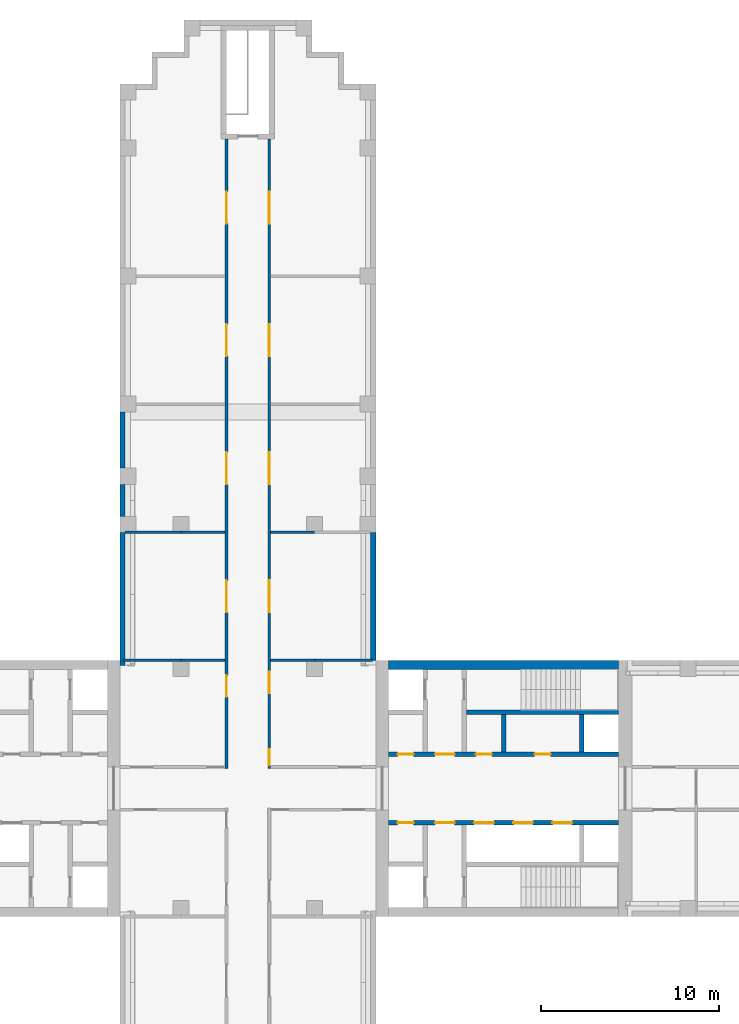
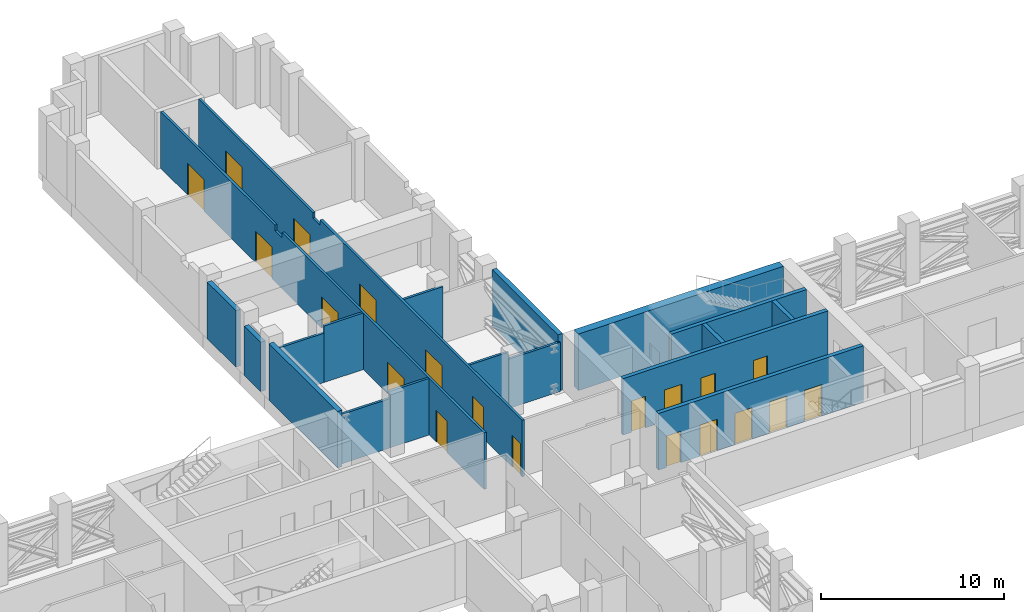
# One storey, part 7 of 10: 20 doors, 19 walls, 20 openings.
"""IFC4 building model written with IfcOpenShell, lengths in metres."""

from ifc_helpers import new_model, si_unit, direction, frame, frame_2d, origin, place, context, subcontext, project, spatial, polyline, rectangle, outline, extrude, material, layer, layer_set, type_object, element, fill, save


model = new_model("IFC4")

# Units and contexts
model_context = context("Model", 3, precision=1e-05, world=origin(), true_north=direction((0.0, 1.0)))
body_context = subcontext(model_context, "Body", "Model", "MODEL_VIEW")
ifc_project = project(units=[si_unit("LENGTHUNIT", "METRE"), si_unit("AREAUNIT", "SQUARE_METRE"), si_unit("VOLUMEUNIT", "CUBIC_METRE"), si_unit("PLANEANGLEUNIT", "RADIAN"), si_unit("MASSUNIT", "GRAM", prefix="KILO")], contexts=[model_context])

# Site, building, storey
site_placement = place(None, origin())
site = spatial("IfcSite", under=ifc_project, at=site_placement, CompositionType="ELEMENT")
building_placement = place(site_placement, origin())
building = spatial("IfcBuilding", under=site, at=building_placement, Name="Fustian Cross Tower", CompositionType="ELEMENT")
storey_placement = place(building_placement, frame((0.0, 0.0, 62.699951171875)))
storey = spatial("IfcBuildingStorey", under=building, at=storey_placement, Name="L19", CompositionType="ELEMENT", Elevation=62.699951171875)

# Walls
ifc_material_1 = material(Name="Plasterboard on steel stud", Category="steel")
ifc_layer_1 = layer(ifc_material_1, 0.14990234375)
ifc_layer_set_1 = layer_set([ifc_layer_1], Name="Plasterboard on steel stud")
wall_type_1 = type_object("IfcWallType", Name="COMPARTMENT WALL 150 EI 60", PredefinedType="PARTITIONING", material=ifc_layer_set_1)
wall_1_placement = place(storey_placement, frame((-7.02001953125, 7.199951171875, 0.0), z_axis=(0.0, 0.0, 1.0), x_axis=(1.0, 0.0, 0.0)))
element("IfcWall", 1, at=wall_1_placement, inside=storey, type_object=wall_type_1, Name="Partition 12", PredefinedType="PARTITIONING", context=body_context, shape_type="SweptSolid", body=[
    extrude(rectangle(XDim=3.27001953125, YDim=0.14990234375, at=frame_2d((1.635009765625, 0.0))), origin(), (0.0, 0.0, 1.0), 3.300048828125),
])
wall_2_placement = place(storey_placement, frame((-6.89990234375, 14.39990234375, 0.0), z_axis=(0.0, 0.0, 1.0), x_axis=(1.0, 0.0, 0.0)))
element("IfcWall", 2, at=wall_2_placement, inside=storey, type_object=wall_type_1, Name="Partition 13", PredefinedType="PARTITIONING", context=body_context, shape_type="SweptSolid", body=[
    extrude(rectangle(XDim=3.14990234375, YDim=0.14990234375, at=frame_2d((1.574951171875, 0.0))), origin(), (0.0, 0.0, 1.0), 3.300048828125),
])

# Wall, openings, doors
wall_3_placement = place(storey_placement, frame((-1.199951171875, 1.125, 0.0), z_axis=(0.0, 0.0, 1.0), x_axis=(0.0, 1.0, 0.0)))
wall_3 = element("IfcWall", 3, at=wall_3_placement, inside=storey, type_object=wall_type_1, Name="Partition 17", PredefinedType="PARTITIONING", context=body_context, shape_type="SweptSolid", body=[
    extrude(outline(polyline([(0.0, 0.0), (35.375, 0.0), (35.375, 3.775146484375), (22.876953125, 3.775146484375), (22.875, 3.400146484375), (22.074951171875, 3.400146484375), (22.072998046875, 3.775146484375), (0.0, 3.775146484375), (0.0, 0.0)])), frame((0.0, 0.074951171875, 0.0), z_axis=(0.0, -1.0, 0.0), x_axis=(1.0, 0.0, 0.0)), (0.0, 0.0, 1.0), 0.14990234375),
])
opening_1_placement = place(wall_3_placement, frame((4.02490234375, 0.0, 0.0)))
opening_1 = element("IfcOpeningElement", 4, at=opening_1_placement, cuts=wall_3, Name="Opening D10006", PredefinedType="OPENING", context=body_context, shape_type="SweptSolid", body=[
    extrude(rectangle(XDim=1.199951171875, YDim=2.10009765625, at=frame_2d((0.60009765625, 1.050048828125))), frame((0.0, 0.0849609375, 0.0), z_axis=(0.0, -1.0, 0.0), x_axis=(1.0, 0.0, 0.0)), (0.0, 0.0, 1.0), 0.169921875),
])
opening_2_placement = place(wall_3_placement, frame((8.77490234375, 0.0, 0.0)))
opening_2 = element("IfcOpeningElement", 5, at=opening_2_placement, cuts=wall_3, Name="Opening D10013", PredefinedType="OPENING", context=body_context, shape_type="SweptSolid", body=[
    extrude(rectangle(XDim=1.800048828125, YDim=2.10009765625, at=frame_2d((0.89990234375, 1.050048828125))), frame((0.0, 0.0849609375, 0.0), z_axis=(0.0, -1.0, 0.0), x_axis=(1.0, 0.0, 0.0)), (0.0, 0.0, 1.0), 0.169921875),
])
opening_3_placement = place(wall_3_placement, frame((15.97509765625, 0.0, 0.0)))
opening_3 = element("IfcOpeningElement", 6, at=opening_3_placement, cuts=wall_3, Name="Opening D10014", PredefinedType="OPENING", context=body_context, shape_type="SweptSolid", body=[
    extrude(rectangle(XDim=1.800048828125, YDim=2.10009765625, at=frame_2d((0.89990234375, 1.050048828125))), frame((0.0, 0.0849609375, 0.0), z_axis=(0.0, -1.0, 0.0), x_axis=(1.0, 0.0, 0.0)), (0.0, 0.0, 1.0), 0.169921875),
])
opening_4_placement = place(wall_3_placement, frame((23.175048828125, 0.0, 0.0)))
opening_4 = element("IfcOpeningElement", 7, at=opening_4_placement, cuts=wall_3, Name="Opening D10015", PredefinedType="OPENING", context=body_context, shape_type="SweptSolid", body=[
    extrude(rectangle(XDim=1.800048828125, YDim=2.10009765625, at=frame_2d((0.89990234375, 1.050048828125))), frame((0.0, 0.0849609375, 0.0), z_axis=(0.0, -1.0, 0.0), x_axis=(1.0, 0.0, 0.0)), (0.0, 0.0, 1.0), 0.169921875),
])
opening_5_placement = place(wall_3_placement, frame((30.625, 0.0, 0.0)))
opening_5 = element("IfcOpeningElement", 8, at=opening_5_placement, cuts=wall_3, Name="Opening D10016", PredefinedType="OPENING", context=body_context, shape_type="SweptSolid", body=[
    extrude(rectangle(XDim=1.800048828125, YDim=2.10009765625, at=frame_2d((0.89990234375, 1.050048828125))), frame((0.0, 0.0849609375, 0.0), z_axis=(0.0, -1.0, 0.0), x_axis=(1.0, 0.0, 0.0)), (0.0, 0.0, 1.0), 0.169921875),
])
ifc_material_2 = material(Name="Timber fire door set", Category="wood")
door_type_1 = type_object("IfcDoorType", Name="FIRE DOUBLE DOOR 1800 FD60S", OperationType="DOUBLE_DOOR_DOUBLE_SWING", PredefinedType="DOOR", material=ifc_material_2)
door_1_placement = place(opening_2_placement, frame((1.800048828125, 0.0, 0.0), z_axis=(0.0, 0.0, 1.0), x_axis=(-1.0, 0.0, 0.0)))
door_1 = element("IfcDoor", 9, at=door_1_placement, inside=storey, type_object=door_type_1, Name="Door D10013", OperationType="DOUBLE_DOOR_DOUBLE_SWING", OverallHeight=2.10009765625, OverallWidth=1.800048828125, PredefinedType="DOOR", context=body_context, shape_type="SweptSolid", body=[
    extrude(rectangle(XDim=1.800048828125, YDim=2.10009765625, at=frame_2d((0.89990234375, 1.050048828125))), frame((0.0, 0.02490234375, 0.0), z_axis=(0.0, -1.0, 0.0), x_axis=(1.0, 0.0, 0.0)), (0.0, 0.0, 1.0), 0.050048828125),
])
fill(opening_2, door_1)
door_2_placement = place(opening_3_placement, frame((1.800048828125, 0.0, 0.0), z_axis=(0.0, 0.0, 1.0), x_axis=(-1.0, 0.0, 0.0)))
door_2 = element("IfcDoor", 10, at=door_2_placement, inside=storey, type_object=door_type_1, Name="Door D10014", OperationType="DOUBLE_DOOR_DOUBLE_SWING", OverallHeight=2.10009765625, OverallWidth=1.800048828125, PredefinedType="DOOR", context=body_context, shape_type="SweptSolid", body=[
    extrude(rectangle(XDim=1.800048828125, YDim=2.10009765625, at=frame_2d((0.89990234375, 1.050048828125))), frame((0.0, 0.02490234375, 0.0), z_axis=(0.0, -1.0, 0.0), x_axis=(1.0, 0.0, 0.0)), (0.0, 0.0, 1.0), 0.050048828125),
])
fill(opening_3, door_2)
door_3_placement = place(opening_4_placement, frame((1.800048828125, 0.0, 0.0), z_axis=(0.0, 0.0, 1.0), x_axis=(-1.0, 0.0, 0.0)))
door_3 = element("IfcDoor", 11, at=door_3_placement, inside=storey, type_object=door_type_1, Name="Door D10015", OperationType="DOUBLE_DOOR_DOUBLE_SWING", OverallHeight=2.10009765625, OverallWidth=1.800048828125, PredefinedType="DOOR", context=body_context, shape_type="SweptSolid", body=[
    extrude(rectangle(XDim=1.800048828125, YDim=2.10009765625, at=frame_2d((0.89990234375, 1.050048828125))), frame((0.0, 0.02490234375, 0.0), z_axis=(0.0, -1.0, 0.0), x_axis=(1.0, 0.0, 0.0)), (0.0, 0.0, 1.0), 0.050048828125),
])
fill(opening_4, door_3)
door_4_placement = place(opening_5_placement, frame((1.800048828125, 0.0, 0.0), z_axis=(0.0, 0.0, 1.0), x_axis=(-1.0, 0.0, 0.0)))
door_4 = element("IfcDoor", 12, at=door_4_placement, inside=storey, type_object=door_type_1, Name="Door D10016", OperationType="DOUBLE_DOOR_DOUBLE_SWING", OverallHeight=2.10009765625, OverallWidth=1.800048828125, PredefinedType="DOOR", context=body_context, shape_type="SweptSolid", body=[
    extrude(rectangle(XDim=1.800048828125, YDim=2.10009765625, at=frame_2d((0.89990234375, 1.050048828125))), frame((0.0, 0.02490234375, 0.0), z_axis=(0.0, -1.0, 0.0), x_axis=(1.0, 0.0, 0.0)), (0.0, 0.0, 1.0), 0.050048828125),
])
fill(opening_5, door_4)
ifc_material_3 = material(Name="Timber fire door set", Category="wood")
door_type_2 = type_object("IfcDoorType", Name="FIRE SWING DOOR 1200 FD60S", OperationType="SINGLE_SWING_LEFT", PredefinedType="DOOR", material=ifc_material_3)
door_5_placement = place(opening_1_placement, origin())
door_5 = element("IfcDoor", 13, at=door_5_placement, inside=storey, type_object=door_type_2, Name="Door D10006", OperationType="SINGLE_SWING_RIGHT", OverallHeight=2.10009765625, OverallWidth=1.199951171875, PredefinedType="DOOR", context=body_context, shape_type="SweptSolid", body=[
    extrude(rectangle(XDim=1.199951171875, YDim=2.10009765625, at=frame_2d((0.60009765625, 1.050048828125))), frame((0.0, 0.02490234375, 0.0), z_axis=(0.0, -1.0, 0.0), x_axis=(1.0, 0.0, 0.0)), (0.0, 0.0, 1.0), 0.050048828125),
])
fill(opening_1, door_5)

wall_4_placement = place(storey_placement, frame((1.199951171875, 1.125, 0.0), z_axis=(0.0, 0.0, 1.0), x_axis=(0.0, 1.0, 0.0)))
wall_4 = element("IfcWall", 14, at=wall_4_placement, inside=storey, type_object=wall_type_1, Name="Partition 24", PredefinedType="PARTITIONING", context=body_context, shape_type="SweptSolid", body=[
    extrude(outline(polyline([(0.0, 0.0), (35.375, 0.0), (35.375, 3.775146484375), (22.876953125, 3.775146484375), (22.875, 3.400146484375), (22.074951171875, 3.400146484375), (22.072998046875, 3.775146484375), (0.0, 3.775146484375), (0.0, 0.0)])), frame((0.0, 0.074951171875, 0.0), z_axis=(0.0, -1.0, 0.0), x_axis=(1.0, 0.0, 0.0)), (0.0, 0.0, 1.0), 0.14990234375),
])
opening_6_placement = place(wall_4_placement, frame((0.175048828125, 0.0, 0.0)))
opening_6 = element("IfcOpeningElement", 15, at=opening_6_placement, cuts=wall_4, Name="Opening D10001", PredefinedType="OPENING", context=body_context, shape_type="SweptSolid", body=[
    extrude(rectangle(XDim=0.89990234375, YDim=2.10009765625, at=frame_2d((0.449951171875, 1.050048828125))), frame((0.0, 0.0849609375, 0.0), z_axis=(0.0, -1.0, 0.0), x_axis=(1.0, 0.0, 0.0)), (0.0, 0.0, 1.0), 0.169921875),
])
opening_7_placement = place(wall_4_placement, frame((4.22509765625, 0.0, 0.0)))
opening_7 = element("IfcOpeningElement", 16, at=opening_7_placement, cuts=wall_4, Name="Opening D10002", PredefinedType="OPENING", context=body_context, shape_type="SweptSolid", body=[
    extrude(rectangle(XDim=1.199951171875, YDim=2.10009765625, at=frame_2d((0.60009765625, 1.050048828125))), frame((0.0, 0.0849609375, 0.0), z_axis=(0.0, -1.0, 0.0), x_axis=(1.0, 0.0, 0.0)), (0.0, 0.0, 1.0), 0.169921875),
])
opening_8_placement = place(wall_4_placement, frame((8.77490234375, 0.0, 0.0)))
opening_8 = element("IfcOpeningElement", 17, at=opening_8_placement, cuts=wall_4, Name="Opening D10017", PredefinedType="OPENING", context=body_context, shape_type="SweptSolid", body=[
    extrude(rectangle(XDim=1.800048828125, YDim=2.10009765625, at=frame_2d((0.89990234375, 1.050048828125))), frame((0.0, 0.0849609375, 0.0), z_axis=(0.0, -1.0, 0.0), x_axis=(1.0, 0.0, 0.0)), (0.0, 0.0, 1.0), 0.169921875),
])
opening_9_placement = place(wall_4_placement, frame((15.97509765625, 0.0, 0.0)))
opening_9 = element("IfcOpeningElement", 18, at=opening_9_placement, cuts=wall_4, Name="Opening D10018", PredefinedType="OPENING", context=body_context, shape_type="SweptSolid", body=[
    extrude(rectangle(XDim=1.800048828125, YDim=2.10009765625, at=frame_2d((0.89990234375, 1.050048828125))), frame((0.0, 0.0849609375, 0.0), z_axis=(0.0, -1.0, 0.0), x_axis=(1.0, 0.0, 0.0)), (0.0, 0.0, 1.0), 0.169921875),
])
opening_10_placement = place(wall_4_placement, frame((23.175048828125, 0.0, 0.0)))
opening_10 = element("IfcOpeningElement", 19, at=opening_10_placement, cuts=wall_4, Name="Opening D10019", PredefinedType="OPENING", context=body_context, shape_type="SweptSolid", body=[
    extrude(rectangle(XDim=1.800048828125, YDim=2.10009765625, at=frame_2d((0.89990234375, 1.050048828125))), frame((0.0, 0.0849609375, 0.0), z_axis=(0.0, -1.0, 0.0), x_axis=(1.0, 0.0, 0.0)), (0.0, 0.0, 1.0), 0.169921875),
])
opening_11_placement = place(wall_4_placement, frame((30.625, 0.0, 0.0)))
opening_11 = element("IfcOpeningElement", 20, at=opening_11_placement, cuts=wall_4, Name="Opening D10020", PredefinedType="OPENING", context=body_context, shape_type="SweptSolid", body=[
    extrude(rectangle(XDim=1.800048828125, YDim=2.10009765625, at=frame_2d((0.89990234375, 1.050048828125))), frame((0.0, 0.0849609375, 0.0), z_axis=(0.0, -1.0, 0.0), x_axis=(1.0, 0.0, 0.0)), (0.0, 0.0, 1.0), 0.169921875),
])
door_6_placement = place(opening_8_placement, origin())
door_6 = element("IfcDoor", 21, at=door_6_placement, inside=storey, type_object=door_type_1, Name="Door D10017", OperationType="DOUBLE_DOOR_DOUBLE_SWING", OverallHeight=2.10009765625, OverallWidth=1.800048828125, PredefinedType="DOOR", context=body_context, shape_type="SweptSolid", body=[
    extrude(rectangle(XDim=1.800048828125, YDim=2.10009765625, at=frame_2d((0.89990234375, 1.050048828125))), frame((0.0, 0.02490234375, 0.0), z_axis=(0.0, -1.0, 0.0), x_axis=(1.0, 0.0, 0.0)), (0.0, 0.0, 1.0), 0.050048828125),
])
fill(opening_8, door_6)
door_7_placement = place(opening_9_placement, origin())
door_7 = element("IfcDoor", 22, at=door_7_placement, inside=storey, type_object=door_type_1, Name="Door D10018", OperationType="DOUBLE_DOOR_DOUBLE_SWING", OverallHeight=2.10009765625, OverallWidth=1.800048828125, PredefinedType="DOOR", context=body_context, shape_type="SweptSolid", body=[
    extrude(rectangle(XDim=1.800048828125, YDim=2.10009765625, at=frame_2d((0.89990234375, 1.050048828125))), frame((0.0, 0.02490234375, 0.0), z_axis=(0.0, -1.0, 0.0), x_axis=(1.0, 0.0, 0.0)), (0.0, 0.0, 1.0), 0.050048828125),
])
fill(opening_9, door_7)
door_8_placement = place(opening_10_placement, origin())
door_8 = element("IfcDoor", 23, at=door_8_placement, inside=storey, type_object=door_type_1, Name="Door D10019", OperationType="DOUBLE_DOOR_DOUBLE_SWING", OverallHeight=2.10009765625, OverallWidth=1.800048828125, PredefinedType="DOOR", context=body_context, shape_type="SweptSolid", body=[
    extrude(rectangle(XDim=1.800048828125, YDim=2.10009765625, at=frame_2d((0.89990234375, 1.050048828125))), frame((0.0, 0.02490234375, 0.0), z_axis=(0.0, -1.0, 0.0), x_axis=(1.0, 0.0, 0.0)), (0.0, 0.0, 1.0), 0.050048828125),
])
fill(opening_10, door_8)
door_9_placement = place(opening_11_placement, origin())
door_9 = element("IfcDoor", 24, at=door_9_placement, inside=storey, type_object=door_type_1, Name="Door D10020", OperationType="DOUBLE_DOOR_DOUBLE_SWING", OverallHeight=2.10009765625, OverallWidth=1.800048828125, PredefinedType="DOOR", context=body_context, shape_type="SweptSolid", body=[
    extrude(rectangle(XDim=1.800048828125, YDim=2.10009765625, at=frame_2d((0.89990234375, 1.050048828125))), frame((0.0, 0.02490234375, 0.0), z_axis=(0.0, -1.0, 0.0), x_axis=(1.0, 0.0, 0.0)), (0.0, 0.0, 1.0), 0.050048828125),
])
fill(opening_11, door_9)
door_10_placement = place(opening_7_placement, origin())
door_10 = element("IfcDoor", 25, at=door_10_placement, inside=storey, type_object=door_type_2, Name="Door D10002", OperationType="SINGLE_SWING_RIGHT", OverallHeight=2.10009765625, OverallWidth=1.199951171875, PredefinedType="DOOR", context=body_context, shape_type="SweptSolid", body=[
    extrude(rectangle(XDim=1.199951171875, YDim=2.10009765625, at=frame_2d((0.60009765625, 1.050048828125))), frame((0.0, 0.02490234375, 0.0), z_axis=(0.0, -1.0, 0.0), x_axis=(1.0, 0.0, 0.0)), (0.0, 0.0, 1.0), 0.050048828125),
])
fill(opening_7, door_10)
ifc_material_4 = material(Name="Timber fire door set", Category="wood")
door_type_3 = type_object("IfcDoorType", Name="FIRE SWING DOOR 900 FD30S", OperationType="SINGLE_SWING_LEFT", PredefinedType="DOOR", material=ifc_material_4)
door_11_placement = place(opening_6_placement, origin())
door_11 = element("IfcDoor", 26, at=door_11_placement, inside=storey, type_object=door_type_3, Name="Door D10001", OperationType="SINGLE_SWING_RIGHT", OverallHeight=2.10009765625, OverallWidth=0.89990234375, PredefinedType="DOOR", context=body_context, shape_type="SweptSolid", body=[
    extrude(rectangle(XDim=0.89990234375, YDim=2.10009765625, at=frame_2d((0.449951171875, 1.050048828125))), frame((0.0, 0.02490234375, 0.0), z_axis=(0.0, -1.0, 0.0), x_axis=(1.0, 0.0, 0.0)), (0.0, 0.0, 1.0), 0.050048828125),
])
fill(opening_6, door_11)

# Walls
for number, where, z_axis, x_axis, name in (
    (27, (1.27490234375, 7.199951171875, 0.0), (0.0, 0.0, 1.0), (1.0, 0.0, 0.0), "Partition 26"),
    (28, (1.27490234375, 14.39990234375, 0.0), (0.0, 0.0, 1.0), (1.0, 0.0, 0.0), "Partition 27"),
    (29, (-3.75, 7.199951171875, 0.0), (0.0, 0.0, 1.0), (1.0, 0.0, 0.0), "Partition 12"),
    (30, (-3.75, 14.39990234375, 0.0), (0.0, 0.0, 1.0), (1.0, 0.0, 0.0), "Partition 13"),
):
    element("IfcWall", number, at=place(storey_placement, frame(where, z_axis=z_axis, x_axis=x_axis)), inside=storey, type_object=wall_type_1, Name=name, PredefinedType="PARTITIONING", context=body_context, shape_type="SweptSolid", body=[
        extrude(rectangle(XDim=2.47509765625, YDim=0.14990234375, at=frame_2d((1.237548828125, 0.0))), origin(), (0.0, 0.0, 1.0), 3.775146484375),
    ])
wall_5_placement = place(storey_placement, frame((3.75, 7.199951171875, 0.0), z_axis=(0.0, 0.0, 1.0), x_axis=(1.0, 0.0, 0.0)))
element("IfcWall", 31, at=wall_5_placement, inside=storey, type_object=wall_type_1, Name="Partition 26", PredefinedType="PARTITIONING", context=body_context, shape_type="SweptSolid", body=[
    extrude(rectangle(XDim=3.27001953125, YDim=0.14990234375, at=frame_2d((1.635009765625, 0.0))), origin(), (0.0, 0.0, 1.0), 3.300048828125),
])
ifc_material_5 = material(Name="Concrete C80/95", Category="concrete")
ifc_layer_2 = layer(ifc_material_5, 0.5)
ifc_layer_set_2 = layer_set([ifc_layer_2], Name="Concrete C80/95")
wall_type_2 = type_object("IfcWallType", Name="CORE FACADE WALL 500 C80/95", PredefinedType="SHEAR", material=ifc_layer_set_2)
wall_6_placement = place(storey_placement, frame((7.89990234375, 6.949951171875, 0.0), z_axis=(0.0, 0.0, 1.0), x_axis=(1.0, 0.0, 0.0)))
element("IfcWall", 32, at=wall_6_placement, inside=storey, type_object=wall_type_2, Name="Core facade wall", PredefinedType="SHEAR", context=body_context, shape_type="SweptSolid", body=[
    extrude(rectangle(XDim=12.9501953125, YDim=0.5, at=frame_2d((6.47509765625, 0.0))), origin(), (0.0, 0.0, 1.0), 3.775146484375),
])

# Wall, openings, doors
ifc_material_6 = material(Name="Concrete C50/60", Category="concrete")
ifc_layer_3 = layer(ifc_material_6, 0.25)
ifc_layer_set_3 = layer_set([ifc_layer_3], Name="Concrete C50/60")
wall_type_3 = type_object("IfcWallType", Name="CORE LOBBY WALL 250 C50/60", PredefinedType="SHEAR", material=ifc_layer_set_3)
wall_7_placement = place(storey_placement, frame((7.89990234375, 1.925048828125, 0.0), z_axis=(0.0, 0.0, 1.0), x_axis=(1.0, 0.0, 0.0)))
wall_7 = element("IfcWall", 33, at=wall_7_placement, inside=storey, type_object=wall_type_3, Name="Core lobby wall", PredefinedType="SHEAR", context=body_context, shape_type="SweptSolid", body=[
    extrude(rectangle(XDim=12.9501953125, YDim=0.25, at=frame_2d((6.47509765625, 0.0))), origin(), (0.0, 0.0, 1.0), 3.775146484375),
])
opening_12_placement = place(wall_7_placement, frame((0.52490234375, 0.0, 0.0)))
opening_12 = element("IfcOpeningElement", 34, at=opening_12_placement, cuts=wall_7, Name="Opening CD-08-08", PredefinedType="OPENING", context=body_context, shape_type="SweptSolid", body=[
    extrude(rectangle(XDim=0.89990234375, YDim=2.10009765625, at=frame_2d((0.449951171875, 1.050048828125))), frame((0.0, 0.135009765625, 0.0), z_axis=(0.0, -1.0, 0.0), x_axis=(1.0, 0.0, 0.0)), (0.0, 0.0, 1.0), 0.27001953125),
])
opening_13_placement = place(wall_7_placement, frame((2.625, 0.0, 0.0)))
opening_13 = element("IfcOpeningElement", 35, at=opening_13_placement, cuts=wall_7, Name="Opening CD-08-10", PredefinedType="OPENING", context=body_context, shape_type="SweptSolid", body=[
    extrude(rectangle(XDim=1.10009765625, YDim=2.10009765625, at=frame_2d((0.550048828125, 1.050048828125))), frame((0.0, 0.135009765625, 0.0), z_axis=(0.0, -1.0, 0.0), x_axis=(1.0, 0.0, 0.0)), (0.0, 0.0, 1.0), 0.27001953125),
])
opening_14_placement = place(wall_7_placement, frame((4.925048828125, 0.0, 0.0)))
opening_14 = element("IfcOpeningElement", 36, at=opening_14_placement, cuts=wall_7, Name="Opening CD-08-14", PredefinedType="OPENING", context=body_context, shape_type="SweptSolid", body=[
    extrude(rectangle(XDim=0.89990234375, YDim=2.10009765625, at=frame_2d((0.449951171875, 1.050048828125))), frame((0.0, 0.135009765625, 0.0), z_axis=(0.0, -1.0, 0.0), x_axis=(1.0, 0.0, 0.0)), (0.0, 0.0, 1.0), 0.27001953125),
])
opening_15_placement = place(wall_7_placement, frame((8.22509765625, 0.0, 0.0)))
opening_15 = element("IfcOpeningElement", 37, at=opening_15_placement, cuts=wall_7, Name="Opening CD-08-15", PredefinedType="OPENING", context=body_context, shape_type="SweptSolid", body=[
    extrude(rectangle(XDim=0.89990234375, YDim=2.10009765625, at=frame_2d((0.449951171875, 1.050048828125))), frame((0.0, 0.135009765625, 0.0), z_axis=(0.0, -1.0, 0.0), x_axis=(1.0, 0.0, 0.0)), (0.0, 0.0, 1.0), 0.27001953125),
])
ifc_material_7 = material(Name="Steel", Category="steel")
door_type_4 = type_object("IfcDoorType", Name="FIRE DOOR FD30S 900X2100", OperationType="SINGLE_SWING_LEFT", PredefinedType="DOOR", material=ifc_material_7)
door_12_placement = place(opening_14_placement, origin())
door_12 = element("IfcDoor", 38, at=door_12_placement, inside=storey, type_object=door_type_4, Name="Core door CD-08-14", OperationType="SINGLE_SWING_LEFT", OverallHeight=2.10009765625, OverallWidth=0.89990234375, PredefinedType="DOOR", context=body_context, shape_type="SweptSolid", body=[
    extrude(rectangle(XDim=0.89990234375, YDim=2.10009765625, at=frame_2d((0.449951171875, 1.050048828125))), frame((0.0, 0.02490234375, 0.0), z_axis=(0.0, -1.0, 0.0), x_axis=(1.0, 0.0, 0.0)), (0.0, 0.0, 1.0), 0.050048828125),
])
fill(opening_14, door_12)
door_13_placement = place(opening_15_placement, origin())
door_13 = element("IfcDoor", 39, at=door_13_placement, inside=storey, type_object=door_type_4, Name="Core door CD-08-15", OperationType="SINGLE_SWING_RIGHT", OverallHeight=2.10009765625, OverallWidth=0.89990234375, PredefinedType="DOOR", context=body_context, shape_type="SweptSolid", body=[
    extrude(rectangle(XDim=0.89990234375, YDim=2.10009765625, at=frame_2d((0.449951171875, 1.050048828125))), frame((0.0, 0.02490234375, 0.0), z_axis=(0.0, -1.0, 0.0), x_axis=(1.0, 0.0, 0.0)), (0.0, 0.0, 1.0), 0.050048828125),
])
fill(opening_15, door_13)
ifc_material_8 = material(Name="Steel", Category="steel")
door_type_5 = type_object("IfcDoorType", Name="FIRE DOOR FD60S 1100X2100", OperationType="SINGLE_SWING_LEFT", PredefinedType="DOOR", material=ifc_material_8)
door_14_placement = place(opening_13_placement, frame((1.10009765625, 0.0, 0.0), z_axis=(0.0, 0.0, 1.0), x_axis=(-1.0, 0.0, 0.0)))
door_14 = element("IfcDoor", 40, at=door_14_placement, inside=storey, type_object=door_type_5, Name="Core door CD-08-10", OperationType="SINGLE_SWING_RIGHT", OverallHeight=2.10009765625, OverallWidth=1.10009765625, PredefinedType="DOOR", context=body_context, shape_type="SweptSolid", body=[
    extrude(rectangle(XDim=1.10009765625, YDim=2.10009765625, at=frame_2d((0.550048828125, 1.050048828125))), frame((0.0, 0.02490234375, 0.0), z_axis=(0.0, -1.0, 0.0), x_axis=(1.0, 0.0, 0.0)), (0.0, 0.0, 1.0), 0.050048828125),
])
fill(opening_13, door_14)
ifc_material_9 = material(Name="Steel", Category="steel")
door_type_6 = type_object("IfcDoorType", Name="FIRE DOOR FD60S 900X2100", OperationType="SINGLE_SWING_LEFT", PredefinedType="DOOR", material=ifc_material_9)
door_15_placement = place(opening_12_placement, origin())
door_15 = element("IfcDoor", 41, at=door_15_placement, inside=storey, type_object=door_type_6, Name="Core door CD-08-08", OperationType="SINGLE_SWING_LEFT", OverallHeight=2.10009765625, OverallWidth=0.89990234375, PredefinedType="DOOR", context=body_context, shape_type="SweptSolid", body=[
    extrude(rectangle(XDim=0.89990234375, YDim=2.10009765625, at=frame_2d((0.449951171875, 1.050048828125))), frame((0.0, 0.02490234375, 0.0), z_axis=(0.0, -1.0, 0.0), x_axis=(1.0, 0.0, 0.0)), (0.0, 0.0, 1.0), 0.050048828125),
])
fill(opening_12, door_15)

wall_8_placement = place(storey_placement, frame((7.89990234375, -1.925048828125, 0.0), z_axis=(0.0, 0.0, 1.0), x_axis=(1.0, 0.0, 0.0)))
wall_8 = element("IfcWall", 42, at=wall_8_placement, inside=storey, type_object=wall_type_3, Name="Core lobby wall", PredefinedType="SHEAR", context=body_context, shape_type="SweptSolid", body=[
    extrude(rectangle(XDim=12.9501953125, YDim=0.25, at=frame_2d((6.47509765625, 0.0))), origin(), (0.0, 0.0, 1.0), 3.775146484375),
])
opening_16_placement = place(wall_8_placement, frame((4.824951171875, 0.0, 0.0)))
opening_16 = element("IfcOpeningElement", 43, at=opening_16_placement, cuts=wall_8, Name="Opening LD", PredefinedType="OPENING", context=body_context, shape_type="SweptSolid", body=[
    extrude(rectangle(XDim=1.10009765625, YDim=2.10009765625, at=frame_2d((0.550048828125, 1.050048828125))), frame((0.0, 0.135009765625, 0.0), z_axis=(0.0, -1.0, 0.0), x_axis=(1.0, 0.0, 0.0)), (0.0, 0.0, 1.0), 0.27001953125),
])
opening_17_placement = place(wall_8_placement, frame((7.02490234375, 0.0, 0.0)))
opening_17 = element("IfcOpeningElement", 44, at=opening_17_placement, cuts=wall_8, Name="Opening LD", PredefinedType="OPENING", context=body_context, shape_type="SweptSolid", body=[
    extrude(rectangle(XDim=1.10009765625, YDim=2.10009765625, at=frame_2d((0.550048828125, 1.050048828125))), frame((0.0, 0.135009765625, 0.0), z_axis=(0.0, -1.0, 0.0), x_axis=(1.0, 0.0, 0.0)), (0.0, 0.0, 1.0), 0.27001953125),
])
opening_18_placement = place(wall_8_placement, frame((9.22509765625, 0.0, 0.0)))
opening_18 = element("IfcOpeningElement", 45, at=opening_18_placement, cuts=wall_8, Name="Opening LD", PredefinedType="OPENING", context=body_context, shape_type="SweptSolid", body=[
    extrude(rectangle(XDim=1.10009765625, YDim=2.10009765625, at=frame_2d((0.550048828125, 1.050048828125))), frame((0.0, 0.135009765625, 0.0), z_axis=(0.0, -1.0, 0.0), x_axis=(1.0, 0.0, 0.0)), (0.0, 0.0, 1.0), 0.27001953125),
])
opening_19_placement = place(wall_8_placement, frame((0.52490234375, 0.0, 0.0)))
opening_19 = element("IfcOpeningElement", 46, at=opening_19_placement, cuts=wall_8, Name="Opening CD-08-09", PredefinedType="OPENING", context=body_context, shape_type="SweptSolid", body=[
    extrude(rectangle(XDim=0.89990234375, YDim=2.10009765625, at=frame_2d((0.449951171875, 1.050048828125))), frame((0.0, 0.135009765625, 0.0), z_axis=(0.0, -1.0, 0.0), x_axis=(1.0, 0.0, 0.0)), (0.0, 0.0, 1.0), 0.27001953125),
])
opening_20_placement = place(wall_8_placement, frame((2.625, 0.0, 0.0)))
opening_20 = element("IfcOpeningElement", 47, at=opening_20_placement, cuts=wall_8, Name="Opening CD-08-11", PredefinedType="OPENING", context=body_context, shape_type="SweptSolid", body=[
    extrude(rectangle(XDim=1.10009765625, YDim=2.10009765625, at=frame_2d((0.550048828125, 1.050048828125))), frame((0.0, 0.135009765625, 0.0), z_axis=(0.0, -1.0, 0.0), x_axis=(1.0, 0.0, 0.0)), (0.0, 0.0, 1.0), 0.27001953125),
])
ifc_material_10 = material(Name="Steel", Category="steel")
door_type_7 = type_object("IfcDoorType", Name="FIRE DOOR FD30S 1100X2100", OperationType="SINGLE_SWING_LEFT", PredefinedType="DOOR", material=ifc_material_10)
door_16_placement = place(opening_20_placement, frame((1.10009765625, 0.0, 0.0), z_axis=(0.0, 0.0, 1.0), x_axis=(-1.0, 0.0, 0.0)))
door_16 = element("IfcDoor", 48, at=door_16_placement, inside=storey, type_object=door_type_7, Name="Core door CD-08-11", OperationType="SINGLE_SWING_RIGHT", OverallHeight=2.10009765625, OverallWidth=1.10009765625, PredefinedType="DOOR", context=body_context, shape_type="SweptSolid", body=[
    extrude(rectangle(XDim=1.10009765625, YDim=2.10009765625, at=frame_2d((0.550048828125, 1.050048828125))), frame((0.0, 0.02490234375, 0.0), z_axis=(0.0, -1.0, 0.0), x_axis=(1.0, 0.0, 0.0)), (0.0, 0.0, 1.0), 0.050048828125),
])
fill(opening_20, door_16)
door_17_placement = place(opening_19_placement, frame((0.89990234375, 0.0, 0.0), z_axis=(0.0, 0.0, 1.0), x_axis=(-1.0, 0.0, 0.0)))
door_17 = element("IfcDoor", 49, at=door_17_placement, inside=storey, type_object=door_type_4, Name="Core door CD-08-09", OperationType="SINGLE_SWING_RIGHT", OverallHeight=2.10009765625, OverallWidth=0.89990234375, PredefinedType="DOOR", context=body_context, shape_type="SweptSolid", body=[
    extrude(rectangle(XDim=0.89990234375, YDim=2.10009765625, at=frame_2d((0.449951171875, 1.050048828125))), frame((0.0, 0.02490234375, 0.0), z_axis=(0.0, -1.0, 0.0), x_axis=(1.0, 0.0, 0.0)), (0.0, 0.0, 1.0), 0.050048828125),
])
fill(opening_19, door_17)
ifc_material_11 = material(Name="Stainless steel", Category="steel")
door_type_8 = type_object("IfcDoorType", Name="LIFT LANDING DOOR 1100X2100", OperationType="SLIDING_TO_LEFT", PredefinedType="DOOR", material=ifc_material_11)
door_18_placement = place(opening_16_placement, origin())
door_18 = element("IfcDoor", 50, at=door_18_placement, inside=storey, type_object=door_type_8, Name="Landing door LR1", OperationType="SLIDING_TO_LEFT", OverallHeight=2.10009765625, OverallWidth=1.10009765625, PredefinedType="DOOR", context=body_context, shape_type="SweptSolid", body=[
    extrude(rectangle(XDim=1.10009765625, YDim=2.10009765625, at=frame_2d((0.550048828125, 1.050048828125))), frame((0.0, 0.02490234375, 0.0), z_axis=(0.0, -1.0, 0.0), x_axis=(1.0, 0.0, 0.0)), (0.0, 0.0, 1.0), 0.050048828125),
])
fill(opening_16, door_18)
door_19_placement = place(opening_17_placement, origin())
door_19 = element("IfcDoor", 51, at=door_19_placement, inside=storey, type_object=door_type_8, Name="Landing door LR2", OperationType="SLIDING_TO_LEFT", OverallHeight=2.10009765625, OverallWidth=1.10009765625, PredefinedType="DOOR", context=body_context, shape_type="SweptSolid", body=[
    extrude(rectangle(XDim=1.10009765625, YDim=2.10009765625, at=frame_2d((0.550048828125, 1.050048828125))), frame((0.0, 0.02490234375, 0.0), z_axis=(0.0, -1.0, 0.0), x_axis=(1.0, 0.0, 0.0)), (0.0, 0.0, 1.0), 0.050048828125),
])
fill(opening_17, door_19)
door_20_placement = place(opening_18_placement, origin())
door_20 = element("IfcDoor", 52, at=door_20_placement, inside=storey, type_object=door_type_8, Name="Landing door LR3", OperationType="SLIDING_TO_LEFT", OverallHeight=2.10009765625, OverallWidth=1.10009765625, PredefinedType="DOOR", context=body_context, shape_type="SweptSolid", body=[
    extrude(rectangle(XDim=1.10009765625, YDim=2.10009765625, at=frame_2d((0.550048828125, 1.050048828125))), frame((0.0, 0.02490234375, 0.0), z_axis=(0.0, -1.0, 0.0), x_axis=(1.0, 0.0, 0.0)), (0.0, 0.0, 1.0), 0.050048828125),
])
fill(opening_18, door_20)

# Walls
ifc_material_12 = material(Name="Concrete C50/60", Category="concrete")
ifc_layer_4 = layer(ifc_material_12, 0.25)
ifc_layer_set_4 = layer_set([ifc_layer_4], Name="Concrete C50/60")
wall_type_4 = type_object("IfcWallType", Name="CORE SHAFT WALL 250 C50/60", PredefinedType="SHEAR", material=ifc_layer_set_4)
wall_9_placement = place(storey_placement, frame((12.300048828125, 4.27490234375, 0.0), z_axis=(0.0, 0.0, 1.0), x_axis=(1.0, 0.0, 0.0)))
element("IfcWall", 53, at=wall_9_placement, inside=storey, type_object=wall_type_4, Name="Core shaft wall", PredefinedType="SHEAR", context=body_context, shape_type="SweptSolid", body=[
    extrude(rectangle(XDim=8.550048828125, YDim=0.25, at=frame_2d((4.27490234375, 0.0))), origin(), (0.0, 0.0, 1.0), 3.775146484375),
])
ifc_material_13 = material(Name="Concrete C40/50", Category="concrete")
ifc_layer_5 = layer(ifc_material_13, 0.25)
ifc_layer_set_5 = layer_set([ifc_layer_5], Name="Concrete C40/50")
wall_type_5 = type_object("IfcWallType", Name="SHAFT PARTITION WALL 250 C40/50", PredefinedType="PARTITIONING", material=ifc_layer_set_5)
for number, where, z_axis, x_axis, name in (
    (54, (14.375, 2.050048828125, 0.0), (0.0, 0.0, 1.0), (0.0, 1.0, 0.0), "Core shaft wall"),
    (55, (18.77490234375, 2.050048828125, 0.0), (0.0, 0.0, 1.0), (0.0, 1.0, 0.0), "Core shaft wall"),
):
    element("IfcWall", number, at=place(storey_placement, frame(where, z_axis=z_axis, x_axis=x_axis)), inside=storey, type_object=wall_type_5, Name=name, PredefinedType="PARTITIONING", context=body_context, shape_type="SweptSolid", body=[
        extrude(rectangle(XDim=2.099853515625, YDim=0.25, at=frame_2d((1.0498046875, 0.0))), origin(), (0.0, 0.0, 1.0), 3.775146484375),
    ])
ifc_material_14 = material(Name="Dark aluminium louvres on insulated backing wall", Category="aluminium")
ifc_layer_6 = layer(ifc_material_14, 0.300048828125)
ifc_layer_set_6 = layer_set([ifc_layer_6], Name="Dark aluminium louvres on insulated backing wall")
wall_type_6 = type_object("IfcWallType", Name="XW2 LOUVRED PLANT WALL 300", PredefinedType="SOLIDWALL", material=ifc_layer_set_6)
wall_10_placement = place(storey_placement, frame((7.050048828125, 7.199951171875, 0.0), z_axis=(0.0, 0.0, 1.0), x_axis=(0.0, 1.0, 0.0)))
element("IfcWall", 56, at=wall_10_placement, inside=storey, type_object=wall_type_6, Name="Plant louvre wall", PredefinedType="SOLIDWALL", context=body_context, shape_type="SweptSolid", body=[
    extrude(rectangle(XDim=7.199951171875, YDim=0.300048828125, at=frame_2d((3.60009765625, 0.0))), origin(), (0.0, 0.0, 1.0), 3.775146484375),
])
wall_11_placement = place(storey_placement, frame((-7.050048828125, 21.14990234375, 0.0), z_axis=(0.0, 0.0, 1.0), x_axis=(0.0, -1.0, 0.0)))
element("IfcWall", 57, at=wall_11_placement, inside=storey, type_object=wall_type_6, Name="Plant louvre wall", PredefinedType="SOLIDWALL", context=body_context, shape_type="SweptSolid", body=[
    extrude(rectangle(XDim=3.14990234375, YDim=0.300048828125, at=frame_2d((1.574951171875, 0.0))), origin(), (0.0, 0.0, 1.0), 3.775146484375),
])
wall_12_placement = place(storey_placement, frame((-7.050048828125, 17.10009765625, 0.0), z_axis=(0.0, 0.0, 1.0), x_axis=(0.0, -1.0, 0.0)))
element("IfcWall", 58, at=wall_12_placement, inside=storey, type_object=wall_type_6, Name="Plant louvre wall", PredefinedType="SOLIDWALL", context=body_context, shape_type="SweptSolid", body=[
    extrude(rectangle(XDim=1.800048828125, YDim=0.300048828125, at=frame_2d((0.89990234375, 0.0))), origin(), (0.0, 0.0, 1.0), 3.300048828125),
])
wall_13_placement = place(storey_placement, frame((-7.050048828125, 14.39990234375, 0.0), z_axis=(0.0, 0.0, 1.0), x_axis=(0.0, -1.0, 0.0)))
element("IfcWall", 59, at=wall_13_placement, inside=storey, type_object=wall_type_6, Name="Plant louvre wall", PredefinedType="SOLIDWALL", context=body_context, shape_type="SweptSolid", body=[
    extrude(rectangle(XDim=7.5, YDim=0.300048828125, at=frame_2d((3.75, 0.0))), origin(), (0.0, 0.0, 1.0), 3.775146484375),
])

save(model, "model.ifc")
